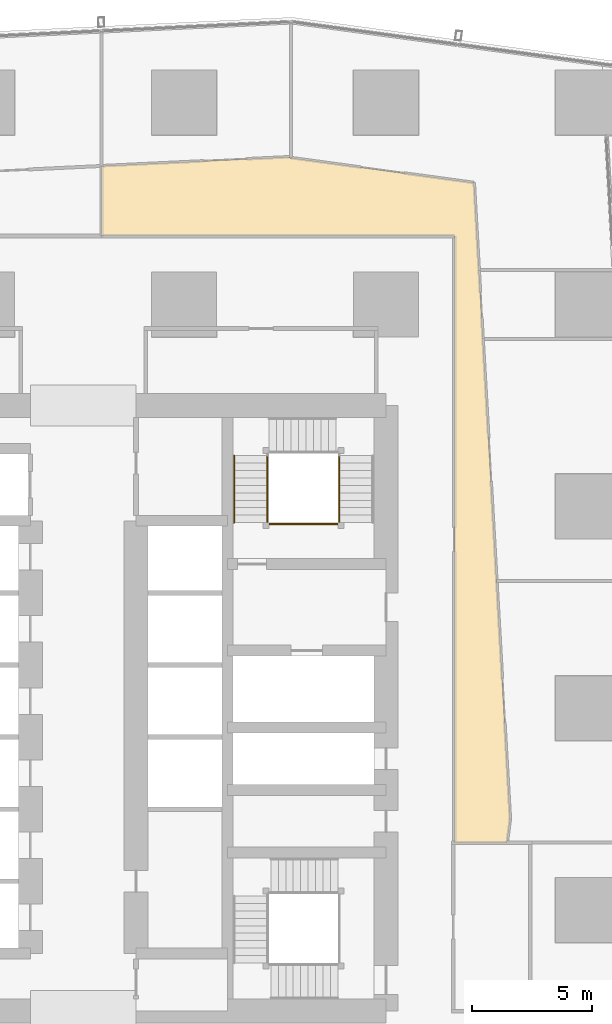
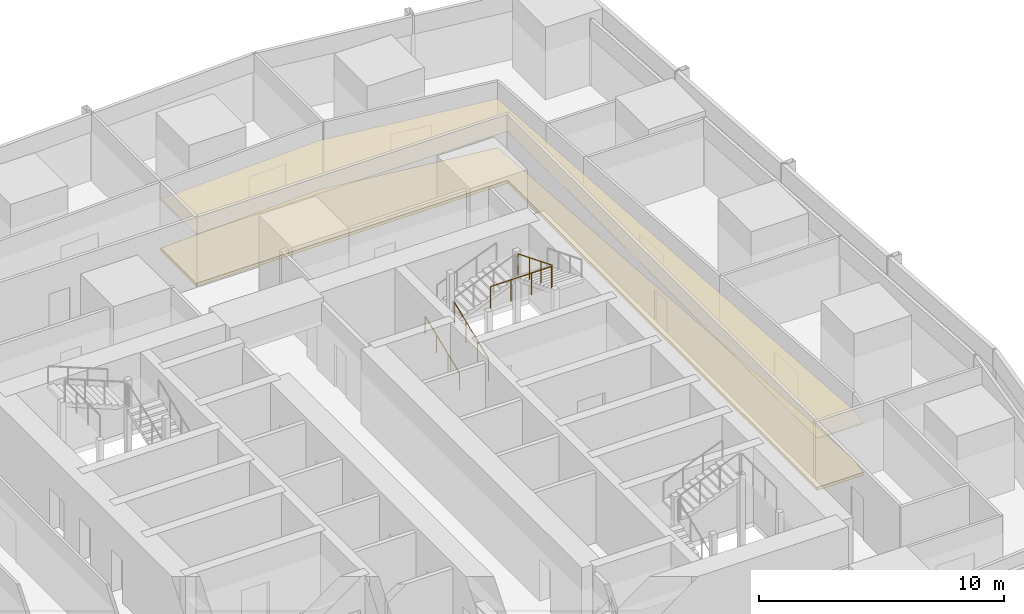
# One storey, part 34 of 36: 4 railings, 2 coverings.
"""IFC4 building model written with IfcOpenShell, lengths in metres."""

from ifc_helpers import new_model, si_unit, direction, frame, origin, origin_2d, place, context, subcontext, project, spatial, polyline, circle, outline, extrude, material, layer, layer_set, type_object, element, save


model = new_model("IFC4")

# Units and contexts
model_context = context("Model", 3, precision=1e-05, world=origin(), true_north=direction((0.0, 1.0)))
body_context = subcontext(model_context, "Body", "Model", "MODEL_VIEW")
ifc_project = project(units=[si_unit("LENGTHUNIT", "METRE"), si_unit("AREAUNIT", "SQUARE_METRE"), si_unit("VOLUMEUNIT", "CUBIC_METRE"), si_unit("PLANEANGLEUNIT", "RADIAN"), si_unit("MASSUNIT", "GRAM", prefix="KILO")], contexts=[model_context])

# Site, building, storey
site_placement = place(None, origin())
site = spatial("IfcSite", under=ifc_project, at=site_placement, CompositionType="ELEMENT")
building_placement = place(site_placement, origin())
building = spatial("IfcBuilding", under=site, at=building_placement, Name="Rekha Terrace Tower", CompositionType="ELEMENT")
storey_placement = place(building_placement, frame((0.0, 0.0, 172.699951171875)))
storey = spatial("IfcBuildingStorey", under=building, at=storey_placement, Name="L43", CompositionType="ELEMENT", Elevation=172.699951171875)

# Covering
ifc_material_1 = material(Name="Mineral fibre tile in exposed grid", Category="finish")
ifc_layer_1 = layer(ifc_material_1, 0.02001953125)
ifc_layer_set_1 = layer_set([ifc_layer_1], Name="Mineral fibre tile in exposed grid")
covering_type_1 = type_object("IfcCoveringType", Name="CL1 600x1200 office grid ceiling", PredefinedType="CEILING", material=ifc_layer_set_1)
covering_1_placement = place(storey_placement, frame((0.0, 0.0, 2.580078125)))
element("IfcCovering", 1, at=covering_1_placement, inside=storey, type_object=covering_type_1, Name="Ceiling L43-O1", PredefinedType="CEILING", context=body_context, shape_type="SweptSolid", body=[
    extrude(outline(polyline([(54.06298828125, 55.466064453125), (46.444091796875, 56.501953125), (46.23291015625, 56.531005859375), (38.571044921875, 56.1650390625), (38.571044921875, 53.25), (53.25, 53.25), (53.25, 28.0), (55.43408203125, 28.0), (55.43505859375, 28.012939453125), (55.43603515625, 28.012939453125), (55.56494140625, 28.990966796875), (55.001953125, 38.91796875), (54.428955078125, 49.008056640625), (54.26904296875, 51.822998046875), (54.06298828125, 55.466064453125)])), origin(), (0.0, 0.0, 1.0), 0.02001953125),
])

# Railings
ifc_material_2 = material(Name="Stainless steel balustrade", Category="steel")
railing_type_1 = type_object("IfcRailingType", Name="GR1 1100 stair guard", PredefinedType="GUARDRAIL", material=ifc_material_2)
railing_1_placement = place(storey_placement, frame((45.465087890625, 41.324951171875, 0.125)))
element("IfcRailing", 2, at=railing_1_placement, inside=storey, type_object=railing_type_1, Name="Guard ST2 L43 flight 1", PredefinedType="GUARDRAIL", context=body_context, shape_type="SweptSolid", body=[
    extrude(circle(Radius=0.02392578125, at=origin_2d()), frame((0.0, 0.0, 1.076171875), z_axis=(0.0, 0.927443287984, 0.373963831907), x_axis=(-1.0, 0.0, 0.0)), (0.0, 0.0, 1.0), 3.00830078125),
    extrude(circle(Radius=0.02099609375, at=origin_2d()), origin(), (0.0, 0.0, 1.0), 1.052001953125),
    extrude(circle(Radius=0.02099609375, at=origin_2d()), frame((0.0, 0.929931640625, 0.375)), (0.0, 0.0, 1.0), 1.052001953125),
    extrude(circle(Radius=0.02099609375, at=origin_2d()), frame((0.0, 1.860107421875, 0.75)), (0.0, 0.0, 1.0), 1.052001953125),
    extrude(circle(Radius=0.02099609375, at=origin_2d()), frame((0.0, 2.7900390625, 1.125)), (0.0, 0.0, 1.0), 1.052001953125),
])
railing_2_placement = place(storey_placement, frame((48.4599609375, 44.114990234375, 2.625)))
element("IfcRailing", 3, at=railing_2_placement, inside=storey, type_object=railing_type_1, Name="Guard ST2 L43 flight 3", PredefinedType="GUARDRAIL", context=body_context, shape_type="SweptSolid", body=[
    extrude(circle(Radius=0.02392578125, at=origin_2d()), frame((0.0, 0.0, 1.076171875), z_axis=(0.0, -0.927443287984, 0.373963831907), x_axis=(1.0, 0.0, 0.0)), (0.0, 0.0, 1.0), 3.00830078125),
    extrude(circle(Radius=0.02099609375, at=origin_2d()), origin(), (0.0, 0.0, 1.0), 1.052001953125),
    extrude(circle(Radius=0.02099609375, at=origin_2d()), frame((0.0, -0.929931640625, 0.375)), (0.0, 0.0, 1.0), 1.052001953125),
    extrude(circle(Radius=0.02099609375, at=origin_2d()), frame((0.0, -1.860107421875, 0.75)), (0.0, 0.0, 1.0), 1.052001953125),
    extrude(circle(Radius=0.02099609375, at=origin_2d()), frame((0.0, -2.7900390625, 1.125)), (0.0, 0.0, 1.0), 1.052001953125),
])
railing_3_placement = place(storey_placement, frame((45.52490234375, 41.264892578125, 3.75)))
element("IfcRailing", 4, at=railing_3_placement, inside=storey, type_object=railing_type_1, Name="Guard ST2 L43 landing 4", PredefinedType="GUARDRAIL", context=body_context, shape_type="SweptSolid", body=[
    extrude(circle(Radius=0.02392578125, at=origin_2d()), frame((0.0, 0.0, 1.076171875), z_axis=(1.0, 0.0, 0.0), x_axis=(0.0, 1.0, 0.0)), (0.0, 0.0, 1.0), 2.875),
    extrude(circle(Radius=0.02099609375, at=origin_2d()), origin(), (0.0, 0.0, 1.0), 1.052001953125),
    extrude(circle(Radius=0.02099609375, at=origin_2d()), frame((0.958251953125, 0.0, 0.0)), (0.0, 0.0, 1.0), 1.052001953125),
    extrude(circle(Radius=0.02099609375, at=origin_2d()), frame((1.916748046875, 0.0, 0.0)), (0.0, 0.0, 1.0), 1.052001953125),
    extrude(circle(Radius=0.02099609375, at=origin_2d()), frame((2.875, 0.0, 0.0)), (0.0, 0.0, 1.0), 1.052001953125),
])
ifc_material_3 = material(Name="Stainless steel tube", Category="steel")
railing_type_2 = type_object("IfcRailingType", Name="HR1 900 stair handrail", PredefinedType="HANDRAIL", material=ifc_material_3)
railing_4_placement = place(storey_placement, frame((44.0849609375, 41.324951171875, 0.125)))
element("IfcRailing", 5, at=railing_4_placement, inside=storey, type_object=railing_type_2, Name="Handrail ST2 L43 flight 1", PredefinedType="HANDRAIL", context=body_context, shape_type="SweptSolid", body=[
    extrude(circle(Radius=0.02392578125, at=origin_2d()), frame((0.0, 0.0, 0.8759765625), z_axis=(0.0, 0.927443287984, 0.373963831907), x_axis=(-1.0, 0.0, 0.0)), (0.0, 0.0, 1.0), 3.00830078125),
    extrude(circle(Radius=0.02099609375, at=origin_2d()), origin(), (0.0, 0.0, 1.0), 0.851806640625),
    extrude(circle(Radius=0.02099609375, at=origin_2d()), frame((0.0, 0.929931640625, 0.375)), (0.0, 0.0, 1.0), 0.851806640625),
    extrude(circle(Radius=0.02099609375, at=origin_2d()), frame((0.0, 1.860107421875, 0.75)), (0.0, 0.0, 1.0), 0.851806640625),
    extrude(circle(Radius=0.02099609375, at=origin_2d()), frame((0.0, 2.7900390625, 1.125)), (0.0, 0.0, 1.0), 0.851806640625),
])

# Covering
ifc_material_4 = material(Name="Calcium sulphate panels on steel pedestals", Category="steel")
ifc_layer_2 = layer(ifc_material_4, 0.14990234375)
ifc_layer_set_2 = layer_set([ifc_layer_2], Name="Calcium sulphate panels on steel pedestals")
covering_type_2 = type_object("IfcCoveringType", Name="RF1 150 raised access floor", PredefinedType="FLOORING", material=ifc_layer_set_2)
covering_2_placement = place(storey_placement, origin())
element("IfcCovering", 6, at=covering_2_placement, inside=storey, type_object=covering_type_2, Name="Raised floor L43-O1", PredefinedType="FLOORING", context=body_context, shape_type="SweptSolid", body=[
    extrude(outline(polyline([(54.06298828125, 55.466064453125), (46.444091796875, 56.501953125), (46.23291015625, 56.531005859375), (38.571044921875, 56.1650390625), (38.571044921875, 53.25), (53.25, 53.25), (53.25, 28.0), (55.43408203125, 28.0), (55.43505859375, 28.012939453125), (55.43603515625, 28.012939453125), (55.56494140625, 28.990966796875), (55.001953125, 38.91796875), (54.428955078125, 49.008056640625), (54.26904296875, 51.822998046875), (54.06298828125, 55.466064453125)])), origin(), (0.0, 0.0, 1.0), 0.150146484375),
])

save(model, "model.ifc")
